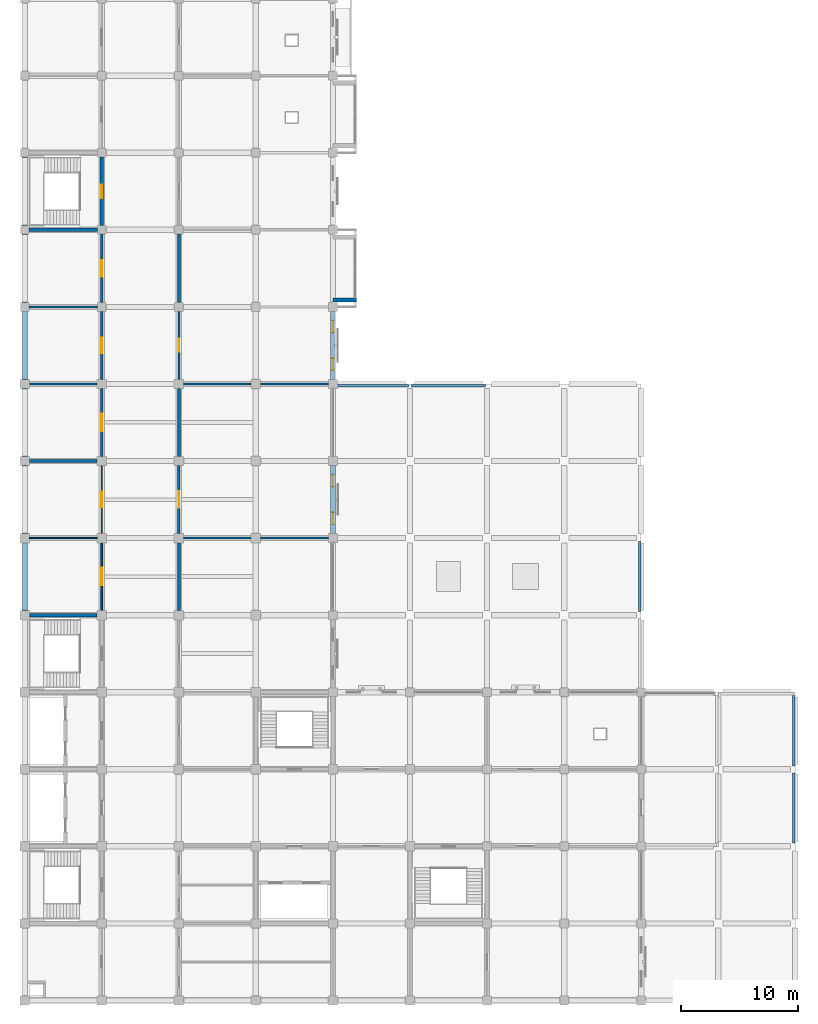
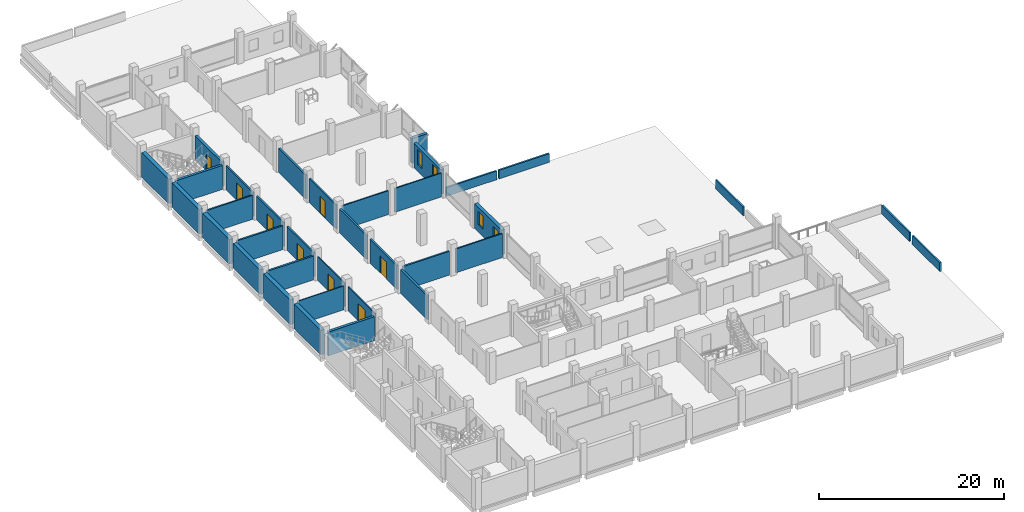
# One storey, part 17 of 23: 35 walls, 8 doors, 4 windows, 12 openings.
"""IFC4 building model written with IfcOpenShell, lengths in metres."""

from ifc_helpers import new_model, si_unit, direction, frame, frame_2d, origin, place, context, subcontext, project, spatial, rectangle, extrude, material, layer, layer_set, type_object, element, fill, save


model = new_model("IFC4")

# Units and contexts
model_context = context("Model", 3, precision=1e-05, world=origin(), true_north=direction((0.0, 1.0)))
body_context = subcontext(model_context, "Body", "Model", "MODEL_VIEW")
ifc_project = project(units=[si_unit("LENGTHUNIT", "METRE"), si_unit("AREAUNIT", "SQUARE_METRE"), si_unit("VOLUMEUNIT", "CUBIC_METRE"), si_unit("PLANEANGLEUNIT", "RADIAN"), si_unit("MASSUNIT", "GRAM", prefix="KILO")], contexts=[model_context])

# Site, building, storey
site_placement = place(None, origin())
site = spatial("IfcSite", under=ifc_project, at=site_placement, CompositionType="ELEMENT")
building_placement = place(site_placement, origin())
building = spatial("IfcBuilding", under=site, at=building_placement, Name="Rusizi Kubbe Research Institute", CompositionType="ELEMENT")
storey_placement = place(building_placement, frame((0.0, 0.0, 18.60009765625)))
storey = spatial("IfcBuildingStorey", under=building, at=storey_placement, Name="L04", CompositionType="ELEMENT", Elevation=18.60009765625)

# Walls
ifc_material_1 = material(Name="Concrete C45/55", Category="concrete")
ifc_layer_1 = layer(ifc_material_1, 0.31494140625)
ifc_layer_set_1 = layer_set([ifc_layer_1], Name="Concrete C45/55")
wall_type_1 = type_object("IfcWallType", Name="CRW-02", PredefinedType="SHEAR", material=ifc_layer_set_1)
wall_1_placement = place(storey_placement, frame((0.39990234375, 33.0, 0.0), z_axis=(0.0, 0.0, 1.0), x_axis=(1.0, 0.0, 0.0)))
element("IfcWall", 1, at=wall_1_placement, inside=storey, type_object=wall_type_1, Name="Stair Core Shear Wall ST2 L04 N", PredefinedType="SHEAR", context=body_context, shape_type="SweptSolid", body=[
    extrude(rectangle(XDim=5.800048828125, YDim=0.31494140625, at=frame_2d((2.89990234375, 0.0))), origin(), (0.0, 0.0, 1.0), 3.159912109375),
])
wall_2_placement = place(storey_placement, frame((0.375, 66.0, 0.0), z_axis=(0.0, 0.0, 1.0), x_axis=(1.0, 0.0, 0.0)))
element("IfcWall", 2, at=wall_2_placement, inside=storey, type_object=wall_type_1, Name="Stair Core Shear Wall ST5 L04 S", PredefinedType="SHEAR", context=body_context, shape_type="SweptSolid", body=[
    extrude(rectangle(XDim=5.85009765625, YDim=0.31494140625, at=frame_2d((2.925048828125, 0.0))), origin(), (0.0, 0.0, 1.0), 3.159912109375),
])

# Wall, opening, door
wall_3_placement = place(storey_placement, frame((6.60009765625, 66.375, 0.0), z_axis=(0.0, 0.0, 1.0), x_axis=(0.0, 1.0, 0.0)))
wall_3 = element("IfcWall", 3, at=wall_3_placement, inside=storey, type_object=wall_type_1, Name="Stair Core Shear Wall ST5 L04 E", PredefinedType="SHEAR", context=body_context, shape_type="SweptSolid", body=[
    extrude(rectangle(XDim=5.85009765625, YDim=0.31494140625, at=frame_2d((2.925048828125, 0.0))), origin(), (0.0, 0.0, 1.0), 3.159912109375),
])
opening_1_placement = place(wall_3_placement, frame((2.35009765625, 0.0, 0.0)))
opening_1 = element("IfcOpeningElement", 4, at=opening_1_placement, cuts=wall_3, Name="Opening D-02", PredefinedType="OPENING", context=body_context, shape_type="SweptSolid", body=[
    extrude(rectangle(XDim=1.14990234375, YDim=2.199951171875, at=frame_2d((0.574951171875, 1.10009765625))), frame((0.0, 0.16748046875, 0.0), z_axis=(0.0, -1.0, 0.0), x_axis=(1.0, 0.0, 0.0)), (0.0, 0.0, 1.0), 0.3349609375),
])
ifc_material_2 = material(Name="Fire-Rated Steel Frame and Acoustic Timber Leaf", Category="wood")
door_type_1 = type_object("IfcDoorType", Name="ID-STAIR-115", OperationType="NOTDEFINED", PredefinedType="DOOR", material=ifc_material_2)
door_1_placement = place(opening_1_placement, origin())
door_1 = element("IfcDoor", 5, at=door_1_placement, inside=storey, type_object=door_type_1, Name="Exit Stair Door ST5 L04", OperationType="SINGLE_SWING_RIGHT", OverallHeight=2.199951171875, OverallWidth=1.14990234375, PredefinedType="DOOR", context=body_context, shape_type="SweptSolid", body=[
    extrude(rectangle(XDim=1.14990234375, YDim=2.199951171875, at=frame_2d((0.574951171875, 1.10009765625))), frame((0.0, 0.02490234375, 0.0), z_axis=(0.0, -1.0, 0.0), x_axis=(1.0, 0.0, 0.0)), (0.0, 0.0, 1.0), 0.050048828125),
])
fill(opening_1, door_1)

# Wall, openings, windows
ifc_material_3 = material(Name="Volcanic Basalt Ashlar Masonry", Category="masonry")
ifc_layer_2 = layer(ifc_material_3, 0.419921875)
ifc_layer_set_2 = layer_set([ifc_layer_2], Name="Volcanic Basalt Ashlar Masonry")
wall_type_2 = type_object("IfcWallType", Name="EW-02", PredefinedType="SOLIDWALL", material=ifc_layer_set_2)
wall_4_placement = place(storey_placement, frame((26.39990234375, 39.97509765625, 0.0), z_axis=(0.0, 0.0, 1.0), x_axis=(0.0, 1.0, 0.0)))
wall_4 = element("IfcWall", 6, at=wall_4_placement, inside=storey, type_object=wall_type_2, Name="Ablaq Stone Exterior Wall L04 V4-6", PredefinedType="SOLIDWALL", context=body_context, shape_type="SweptSolid", body=[
    extrude(rectangle(XDim=5.849853515625, YDim=0.419921875, at=frame_2d((2.9248046875, 0.0))), origin(), (0.0, 0.0, 1.0), 3.260009765625),
])
opening_2_placement = place(wall_4_placement, frame((0.800048828125, 0.0, 0.949951171875)))
opening_2 = element("IfcOpeningElement", 7, at=opening_2_placement, cuts=wall_4, Name="Opening WN-07", PredefinedType="OPENING", context=body_context, shape_type="SweptSolid", body=[
    extrude(rectangle(XDim=1.02001953125, YDim=1.739990234375, at=frame_2d((0.510009765625, 0.8701171875))), frame((0.0, 0.219970703125, 0.0), z_axis=(0.0, -1.0, 0.0), x_axis=(1.0, 0.0, 0.0)), (0.0, 0.0, 1.0), 0.43994140625),
])
opening_3_placement = place(wall_4_placement, frame((4.030029296875, 0.0, 0.949951171875)))
opening_3 = element("IfcOpeningElement", 8, at=opening_3_placement, cuts=wall_4, Name="Opening WN-07", PredefinedType="OPENING", context=body_context, shape_type="SweptSolid", body=[
    extrude(rectangle(XDim=1.02001953125, YDim=1.739990234375, at=frame_2d((0.510009765625, 0.8701171875))), frame((0.0, 0.219970703125, 0.0), z_axis=(0.0, -1.0, 0.0), x_axis=(1.0, 0.0, 0.0)), (0.0, 0.0, 1.0), 0.43994140625),
])
ifc_material_4 = material(Name="Aluminium Frame and Solar-Control Double Glazing", Category="glass")
window_type_1 = type_object("IfcWindowType", Name="WN-07", PartitioningType="SINGLE_PANEL", PredefinedType="WINDOW", material=ifc_material_4)
window_1_placement = place(opening_2_placement, origin())
window_1 = element("IfcWindow", 9, at=window_1_placement, inside=storey, type_object=window_type_1, Name="Casement Window WN-07 L04", OverallHeight=1.739990234375, OverallWidth=1.02001953125, PartitioningType="SINGLE_PANEL", PredefinedType="WINDOW", context=body_context, shape_type="SweptSolid", body=[
    extrude(rectangle(XDim=1.02001953125, YDim=1.739990234375, at=frame_2d((0.510009765625, 0.8701171875))), frame((0.0, 0.030029296875, 0.0), z_axis=(0.0, -1.0, 0.0), x_axis=(1.0, 0.0, 0.0)), (0.0, 0.0, 1.0), 0.06005859375),
])
fill(opening_2, window_1)
window_2_placement = place(opening_3_placement, origin())
window_2 = element("IfcWindow", 10, at=window_2_placement, inside=storey, type_object=window_type_1, Name="Casement Window WN-07 L04", OverallHeight=1.739990234375, OverallWidth=1.02001953125, PartitioningType="SINGLE_PANEL", PredefinedType="WINDOW", context=body_context, shape_type="SweptSolid", body=[
    extrude(rectangle(XDim=1.02001953125, YDim=1.739990234375, at=frame_2d((0.510009765625, 0.8701171875))), frame((0.0, 0.030029296875, 0.0), z_axis=(0.0, -1.0, 0.0), x_axis=(1.0, 0.0, 0.0)), (0.0, 0.0, 1.0), 0.06005859375),
])
fill(opening_3, window_2)

ifc_material_5 = material(Name="Volcanic Basalt Ashlar Masonry", Category="masonry")
ifc_layer_3 = layer(ifc_material_5, 0.385009765625)
ifc_layer_set_3 = layer_set([ifc_layer_3], Name="Volcanic Basalt Ashlar Masonry")
wall_type_3 = type_object("IfcWallType", Name="EW-04", PredefinedType="SOLIDWALL", material=ifc_layer_set_3)
wall_5_placement = place(storey_placement, frame((26.39990234375, 53.175048828125, 0.0), z_axis=(0.0, 0.0, 1.0), x_axis=(0.0, 1.0, 0.0)))
wall_5 = element("IfcWall", 11, at=wall_5_placement, inside=storey, type_object=wall_type_3, Name="Ablaq Stone Exterior Wall L04 V4-8", PredefinedType="SOLIDWALL", context=body_context, shape_type="SweptSolid", body=[
    extrude(rectangle(XDim=5.849853515625, YDim=0.385009765625, at=frame_2d((2.9248046875, 0.0))), origin(), (0.0, 0.0, 1.0), 3.260009765625),
])
opening_4_placement = place(wall_5_placement, frame((0.800048828125, 0.0, 0.949951171875)))
opening_4 = element("IfcOpeningElement", 12, at=opening_4_placement, cuts=wall_5, Name="Opening WN-08", PredefinedType="OPENING", context=body_context, shape_type="SweptSolid", body=[
    extrude(rectangle(XDim=1.02001953125, YDim=1.9599609375, at=frame_2d((0.510009765625, 0.97998046875))), frame((0.0, 0.202392578125, 0.0), z_axis=(0.0, -1.0, 0.0), x_axis=(1.0, 0.0, 0.0)), (0.0, 0.0, 1.0), 0.405029296875),
])
opening_5_placement = place(wall_5_placement, frame((4.030029296875, 0.0, 0.949951171875)))
opening_5 = element("IfcOpeningElement", 13, at=opening_5_placement, cuts=wall_5, Name="Opening WN-08", PredefinedType="OPENING", context=body_context, shape_type="SweptSolid", body=[
    extrude(rectangle(XDim=1.02001953125, YDim=1.9599609375, at=frame_2d((0.510009765625, 0.97998046875))), frame((0.0, 0.202392578125, 0.0), z_axis=(0.0, -1.0, 0.0), x_axis=(1.0, 0.0, 0.0)), (0.0, 0.0, 1.0), 0.405029296875),
])
ifc_material_6 = material(Name="Aluminium Frame and Solar-Control Double Glazing", Category="glass")
window_type_2 = type_object("IfcWindowType", Name="WN-08", PartitioningType="SINGLE_PANEL", PredefinedType="WINDOW", material=ifc_material_6)
window_3_placement = place(opening_4_placement, origin())
window_3 = element("IfcWindow", 14, at=window_3_placement, inside=storey, type_object=window_type_2, Name="Casement Window WN-08 L04", OverallHeight=1.9599609375, OverallWidth=1.02001953125, PartitioningType="SINGLE_PANEL", PredefinedType="WINDOW", context=body_context, shape_type="SweptSolid", body=[
    extrude(rectangle(XDim=1.02001953125, YDim=1.9599609375, at=frame_2d((0.510009765625, 0.97998046875))), frame((0.0, 0.030029296875, 0.0), z_axis=(0.0, -1.0, 0.0), x_axis=(1.0, 0.0, 0.0)), (0.0, 0.0, 1.0), 0.06005859375),
])
fill(opening_4, window_3)
window_4_placement = place(opening_5_placement, origin())
window_4 = element("IfcWindow", 15, at=window_4_placement, inside=storey, type_object=window_type_2, Name="Casement Window WN-08 L04", OverallHeight=1.9599609375, OverallWidth=1.02001953125, PartitioningType="SINGLE_PANEL", PredefinedType="WINDOW", context=body_context, shape_type="SweptSolid", body=[
    extrude(rectangle(XDim=1.02001953125, YDim=1.9599609375, at=frame_2d((0.510009765625, 0.97998046875))), frame((0.0, 0.030029296875, 0.0), z_axis=(0.0, -1.0, 0.0), x_axis=(1.0, 0.0, 0.0)), (0.0, 0.0, 1.0), 0.06005859375),
])
fill(opening_5, window_4)

# Walls
ifc_material_7 = material(Name="Volcanic Basalt Ashlar Masonry", Category="masonry")
ifc_layer_4 = layer(ifc_material_7, 0.35498046875)
ifc_layer_set_4 = layer_set([ifc_layer_4], Name="Volcanic Basalt Ashlar Masonry")
wall_type_4 = type_object("IfcWallType", Name="EW-06", PredefinedType="SOLIDWALL", material=ifc_layer_set_4)
wall_6_placement = place(storey_placement, frame((26.39990234375, 60.0, 0.0), z_axis=(0.0, 0.0, 1.0), x_axis=(1.0, 0.0, 0.0)))
element("IfcWall", 16, at=wall_6_placement, inside=storey, type_object=wall_type_4, Name="Cumba Return Wall S L04 (4,9)", PredefinedType="SOLIDWALL", context=body_context, shape_type="SweptSolid", body=[
    extrude(rectangle(XDim=2.0, YDim=0.35498046875, at=frame_2d((1.0, 0.0))), origin(), (0.0, 0.0, 1.0), 3.260009765625),
])
ifc_material_8 = material(Name="Concrete Blockwork Fire Partition", Category="masonry")
ifc_layer_5 = layer(ifc_material_8, 0.22509765625)
ifc_layer_set_5 = layer_set([ifc_layer_5], Name="Concrete Blockwork Fire Partition")
wall_type_5 = type_object("IfcWallType", Name="IW-01", PredefinedType="PARTITIONING", material=ifc_layer_set_5)
wall_7_placement = place(storey_placement, frame((0.39990234375, 46.199951171875, 0.0), z_axis=(0.0, 0.0, 1.0), x_axis=(1.0, 0.0, 0.0)))
element("IfcWall", 17, at=wall_7_placement, inside=storey, type_object=wall_type_5, Name="Interior Partition Wall L04 H0-7", PredefinedType="PARTITIONING", context=body_context, shape_type="SweptSolid", body=[
    extrude(rectangle(XDim=5.800048828125, YDim=0.22509765625, at=frame_2d((2.89990234375, 0.0))), origin(), (0.0, 0.0, 1.0), 3.159912109375),
])

# Wall, opening, door
wall_8_placement = place(storey_placement, frame((6.60009765625, 46.60009765625, 0.0), z_axis=(0.0, 0.0, 1.0), x_axis=(0.0, 1.0, 0.0)))
wall_8 = element("IfcWall", 18, at=wall_8_placement, inside=storey, type_object=wall_type_5, Name="Interior Partition Wall L04 V1-7", PredefinedType="PARTITIONING", context=body_context, shape_type="SweptSolid", body=[
    extrude(rectangle(XDim=5.7998046875, YDim=0.22509765625, at=frame_2d((2.89990234375, 0.0))), origin(), (0.0, 0.0, 1.0), 3.159912109375),
])
opening_6_placement = place(wall_8_placement, frame((2.159912109375, 0.0, 0.0)))
opening_6 = element("IfcOpeningElement", 19, at=opening_6_placement, cuts=wall_8, Name="Opening LD-08", PredefinedType="OPENING", context=body_context, shape_type="SweptSolid", body=[
    extrude(rectangle(XDim=1.47998046875, YDim=2.25, at=frame_2d((0.739990234375, 1.125))), frame((0.0, 0.12255859375, 0.0), z_axis=(0.0, -1.0, 0.0), x_axis=(1.0, 0.0, 0.0)), (0.0, 0.0, 1.0), 0.2451171875),
])
ifc_material_9 = material(Name="Brushed Stainless Steel Sliding Door", Category="steel")
door_type_2 = type_object("IfcDoorType", Name="LD-08", OperationType="DOUBLE_DOOR_SLIDING", PredefinedType="USERDEFINED", material=ifc_material_9)
door_2_placement = place(opening_6_placement, origin())
door_2 = element("IfcDoor", 20, at=door_2_placement, inside=storey, type_object=door_type_2, Name="Door to Clean Room Gowning Airlock (L04-ALK-07)", ObjectType="SLIDING DOOR", OperationType="DOUBLE_DOOR_SLIDING", OverallHeight=2.25, OverallWidth=1.47998046875, PredefinedType="USERDEFINED", context=body_context, shape_type="SweptSolid", body=[
    extrude(rectangle(XDim=1.47998046875, YDim=2.25, at=frame_2d((0.739990234375, 1.125))), frame((0.0, 0.02490234375, 0.0), z_axis=(0.0, -1.0, 0.0), x_axis=(1.0, 0.0, 0.0)), (0.0, 0.0, 1.0), 0.050048828125),
])
fill(opening_6, door_2)

wall_9_placement = place(storey_placement, frame((13.199951171875, 40.0, 0.0), z_axis=(0.0, 0.0, 1.0), x_axis=(0.0, 1.0, 0.0)))
wall_9 = element("IfcWall", 21, at=wall_9_placement, inside=storey, type_object=wall_type_5, Name="Interior Partition Wall L04 V2-6", PredefinedType="PARTITIONING", context=body_context, shape_type="SweptSolid", body=[
    extrude(rectangle(XDim=5.800048828125, YDim=0.22509765625, at=frame_2d((2.89990234375, 0.0))), origin(), (0.0, 0.0, 1.0), 3.159912109375),
])
opening_7_placement = place(wall_9_placement, frame((2.199951171875, 0.0, 0.0)))
opening_7 = element("IfcOpeningElement", 22, at=opening_7_placement, cuts=wall_9, Name="Opening D-12", PredefinedType="OPENING", context=body_context, shape_type="SweptSolid", body=[
    extrude(rectangle(XDim=1.39990234375, YDim=2.25, at=frame_2d((0.699951171875, 1.125))), frame((0.0, 0.12255859375, 0.0), z_axis=(0.0, -1.0, 0.0), x_axis=(1.0, 0.0, 0.0)), (0.0, 0.0, 1.0), 0.2451171875),
])
ifc_material_10 = material(Name="Fire-Rated Steel Frame and Acoustic Timber Leaf", Category="wood")
door_type_3 = type_object("IfcDoorType", Name="ID-LAB-140", OperationType="NOTDEFINED", PredefinedType="DOOR", material=ifc_material_10)
door_3_placement = place(opening_7_placement, origin())
door_3 = element("IfcDoor", 23, at=door_3_placement, inside=storey, type_object=door_type_3, Name="Door to Computational Dry Laboratory (L04-NW-03)", OperationType="SINGLE_SWING_RIGHT", OverallHeight=2.25, OverallWidth=1.39990234375, PredefinedType="DOOR", context=body_context, shape_type="SweptSolid", body=[
    extrude(rectangle(XDim=1.39990234375, YDim=2.25, at=frame_2d((0.699951171875, 1.125))), frame((0.0, 0.02490234375, 0.0), z_axis=(0.0, -1.0, 0.0), x_axis=(1.0, 0.0, 0.0)), (0.0, 0.0, 1.0), 0.050048828125),
])
fill(opening_7, door_3)

# Wall
ifc_material_11 = material(Name="Insulated Cleanroom Partition", Category="masonry")
ifc_layer_6 = layer(ifc_material_11, 0.195068359375)
ifc_layer_set_6 = layer_set([ifc_layer_6], Name="Insulated Cleanroom Partition")
wall_type_6 = type_object("IfcWallType", Name="IW-02", PredefinedType="PARTITIONING", material=ifc_layer_set_6)
wall_10_placement = place(storey_placement, frame((0.39990234375, 52.800048828125, 0.0), z_axis=(0.0, 0.0, 1.0), x_axis=(1.0, 0.0, 0.0)))
element("IfcWall", 24, at=wall_10_placement, inside=storey, type_object=wall_type_6, Name="Interior Partition Wall L04 H0-8", PredefinedType="PARTITIONING", context=body_context, shape_type="SweptSolid", body=[
    extrude(rectangle(XDim=5.800048828125, YDim=0.195068359375, at=frame_2d((2.89990234375, 0.0))), origin(), (0.0, 0.0, 1.0), 3.159912109375),
])

# Wall, opening, door
wall_11_placement = place(storey_placement, frame((6.60009765625, 53.199951171875, 0.0), z_axis=(0.0, 0.0, 1.0), x_axis=(0.0, 1.0, 0.0)))
wall_11 = element("IfcWall", 25, at=wall_11_placement, inside=storey, type_object=wall_type_6, Name="Interior Partition Wall L04 V1-8", PredefinedType="PARTITIONING", context=body_context, shape_type="SweptSolid", body=[
    extrude(rectangle(XDim=5.824951171875, YDim=0.195068359375, at=frame_2d((2.91259765625, 0.0))), origin(), (0.0, 0.0, 1.0), 3.159912109375),
])
opening_8_placement = place(wall_11_placement, frame((2.239990234375, 0.0, 0.0)))
opening_8 = element("IfcOpeningElement", 26, at=opening_8_placement, cuts=wall_11, Name="Opening LD-07", PredefinedType="OPENING", context=body_context, shape_type="SweptSolid", body=[
    extrude(rectangle(XDim=1.320068359375, YDim=2.199951171875, at=frame_2d((0.66015625, 1.10009765625))), frame((0.0, 0.107421875, 0.0), z_axis=(0.0, -1.0, 0.0), x_axis=(1.0, 0.0, 0.0)), (0.0, 0.0, 1.0), 0.215087890625),
])
ifc_material_12 = material(Name="Brushed Stainless Steel Sliding Door", Category="steel")
door_type_4 = type_object("IfcDoorType", Name="LD-07", OperationType="DOUBLE_DOOR_SLIDING", PredefinedType="USERDEFINED", material=ifc_material_12)
door_4_placement = place(opening_8_placement, origin())
door_4 = element("IfcDoor", 27, at=door_4_placement, inside=storey, type_object=door_type_4, Name="Door to ISO-6 Clean Room Suite (L04-CR-08)", ObjectType="SLIDING DOOR", OperationType="DOUBLE_DOOR_SLIDING", OverallHeight=2.199951171875, OverallWidth=1.320068359375, PredefinedType="USERDEFINED", context=body_context, shape_type="SweptSolid", body=[
    extrude(rectangle(XDim=1.320068359375, YDim=2.199951171875, at=frame_2d((0.66015625, 1.10009765625))), frame((0.0, 0.02490234375, 0.0), z_axis=(0.0, -1.0, 0.0), x_axis=(1.0, 0.0, 0.0)), (0.0, 0.0, 1.0), 0.050048828125),
])
fill(opening_8, door_4)

# Walls
wall_12_placement = place(storey_placement, frame((13.60009765625, 39.60009765625, 0.0), z_axis=(0.0, 0.0, 1.0), x_axis=(1.0, 0.0, 0.0)))
element("IfcWall", 28, at=wall_12_placement, inside=storey, type_object=wall_type_6, Name="Interior Partition Wall L04 H2-6", PredefinedType="PARTITIONING", context=body_context, shape_type="SweptSolid", body=[
    extrude(rectangle(XDim=5.7998046875, YDim=0.195068359375, at=frame_2d((2.89990234375, 0.0))), origin(), (0.0, 0.0, 1.0), 3.159912109375),
])
ifc_material_13 = material(Name="Acoustic Laboratory Partition", Category="masonry")
ifc_layer_7 = layer(ifc_material_13, 0.175048828125)
ifc_layer_set_7 = layer_set([ifc_layer_7], Name="Acoustic Laboratory Partition")
wall_type_7 = type_object("IfcWallType", Name="IW-03", PredefinedType="PARTITIONING", material=ifc_layer_set_7)
wall_13_placement = place(storey_placement, frame((0.375, 59.39990234375, 0.0), z_axis=(0.0, 0.0, 1.0), x_axis=(1.0, 0.0, 0.0)))
element("IfcWall", 29, at=wall_13_placement, inside=storey, type_object=wall_type_7, Name="Interior Partition Wall L04 H0-9", PredefinedType="PARTITIONING", context=body_context, shape_type="SweptSolid", body=[
    extrude(rectangle(XDim=5.85009765625, YDim=0.175048828125, at=frame_2d((2.925048828125, 0.0))), origin(), (0.0, 0.0, 1.0), 3.159912109375),
])

# Wall, opening, door
wall_14_placement = place(storey_placement, frame((6.60009765625, 59.77490234375, 0.0), z_axis=(0.0, 0.0, 1.0), x_axis=(0.0, 1.0, 0.0)))
wall_14 = element("IfcWall", 30, at=wall_14_placement, inside=storey, type_object=wall_type_7, Name="Interior Partition Wall L04 V1-9", PredefinedType="PARTITIONING", context=body_context, shape_type="SweptSolid", body=[
    extrude(rectangle(XDim=5.85009765625, YDim=0.175048828125, at=frame_2d((2.925048828125, 0.0))), origin(), (0.0, 0.0, 1.0), 3.159912109375),
])
opening_9_placement = place(wall_14_placement, frame((2.22509765625, 0.0, 0.0)))
opening_9 = element("IfcOpeningElement", 31, at=opening_9_placement, cuts=wall_14, Name="Opening D-12", PredefinedType="OPENING", context=body_context, shape_type="SweptSolid", body=[
    extrude(rectangle(XDim=1.39990234375, YDim=2.25, at=frame_2d((0.699951171875, 1.125))), frame((0.0, 0.097412109375, 0.0), z_axis=(0.0, -1.0, 0.0), x_axis=(1.0, 0.0, 0.0)), (0.0, 0.0, 1.0), 0.195068359375),
])
door_5_placement = place(opening_9_placement, origin())
door_5 = element("IfcDoor", 32, at=door_5_placement, inside=storey, type_object=door_type_3, Name="Door to Clean Room Metrology Laboratory (L04-WSP-09)", OperationType="SINGLE_SWING_RIGHT", OverallHeight=2.25, OverallWidth=1.39990234375, PredefinedType="DOOR", context=body_context, shape_type="SweptSolid", body=[
    extrude(rectangle(XDim=1.39990234375, YDim=2.25, at=frame_2d((0.699951171875, 1.125))), frame((0.0, 0.02490234375, 0.0), z_axis=(0.0, -1.0, 0.0), x_axis=(1.0, 0.0, 0.0)), (0.0, 0.0, 1.0), 0.050048828125),
])
fill(opening_9, door_5)

wall_15_placement = place(storey_placement, frame((13.199951171875, 53.199951171875, 0.0), z_axis=(0.0, 0.0, 1.0), x_axis=(0.0, 1.0, 0.0)))
wall_15 = element("IfcWall", 33, at=wall_15_placement, inside=storey, type_object=wall_type_7, Name="Interior Partition Wall L04 V2-8", PredefinedType="PARTITIONING", context=body_context, shape_type="SweptSolid", body=[
    extrude(rectangle(XDim=5.824951171875, YDim=0.175048828125, at=frame_2d((2.91259765625, 0.0))), origin(), (0.0, 0.0, 1.0), 3.159912109375),
])
opening_10_placement = place(wall_15_placement, frame((2.340087890625, 0.0, 0.0)))
opening_10 = element("IfcOpeningElement", 34, at=opening_10_placement, cuts=wall_15, Name="Opening D-18", PredefinedType="OPENING", context=body_context, shape_type="SweptSolid", body=[
    extrude(rectangle(XDim=1.1201171875, YDim=2.199951171875, at=frame_2d((0.56005859375, 1.10009765625))), frame((0.0, 0.097412109375, 0.0), z_axis=(0.0, -1.0, 0.0), x_axis=(1.0, 0.0, 0.0)), (0.0, 0.0, 1.0), 0.195068359375),
])
ifc_material_14 = material(Name="Fire-Rated Steel Frame and Acoustic Timber Leaf", Category="wood")
door_type_5 = type_object("IfcDoorType", Name="ID-OFF-112", OperationType="NOTDEFINED", PredefinedType="DOOR", material=ifc_material_14)
door_6_placement = place(opening_10_placement, origin())
door_6 = element("IfcDoor", 35, at=door_6_placement, inside=storey, type_object=door_type_5, Name="Door to Write-up Office (L04-NW-04)", OperationType="SINGLE_SWING_LEFT", OverallHeight=2.199951171875, OverallWidth=1.1201171875, PredefinedType="DOOR", context=body_context, shape_type="SweptSolid", body=[
    extrude(rectangle(XDim=1.1201171875, YDim=2.199951171875, at=frame_2d((0.56005859375, 1.10009765625))), frame((0.0, 0.02490234375, 0.0), z_axis=(0.0, -1.0, 0.0), x_axis=(1.0, 0.0, 0.0)), (0.0, 0.0, 1.0), 0.050048828125),
])
fill(opening_10, door_6)

# Walls
wall_16_placement = place(storey_placement, frame((20.199951171875, 39.60009765625, 0.0), z_axis=(0.0, 0.0, 1.0), x_axis=(1.0, 0.0, 0.0)))
element("IfcWall", 36, at=wall_16_placement, inside=storey, type_object=wall_type_7, Name="Interior Partition Wall L04 H3-6", PredefinedType="PARTITIONING", context=body_context, shape_type="SweptSolid", body=[
    extrude(rectangle(XDim=5.824951171875, YDim=0.175048828125, at=frame_2d((2.91259765625, 0.0))), origin(), (0.0, 0.0, 1.0), 3.159912109375),
])
ifc_material_15 = material(Name="Fire-Rated Corridor Partition", Category="masonry")
ifc_layer_8 = layer(ifc_material_15, 0.155029296875)
ifc_layer_set_8 = layer_set([ifc_layer_8], Name="Fire-Rated Corridor Partition")
wall_type_8 = type_object("IfcWallType", Name="IW-04", PredefinedType="PARTITIONING", material=ifc_layer_set_8)
wall_17_placement = place(storey_placement, frame((13.60009765625, 52.800048828125, 0.0), z_axis=(0.0, 0.0, 1.0), x_axis=(1.0, 0.0, 0.0)))
element("IfcWall", 37, at=wall_17_placement, inside=storey, type_object=wall_type_8, Name="Interior Partition Wall L04 H2-8", PredefinedType="PARTITIONING", context=body_context, shape_type="SweptSolid", body=[
    extrude(rectangle(XDim=5.7998046875, YDim=0.155029296875, at=frame_2d((2.89990234375, 0.0))), origin(), (0.0, 0.0, 1.0), 3.159912109375),
])

# Wall, opening, door
ifc_material_16 = material(Name="Write-up Glazed Acoustic Partition", Category="masonry")
ifc_layer_9 = layer(ifc_material_16, 0.139892578125)
ifc_layer_set_9 = layer_set([ifc_layer_9], Name="Write-up Glazed Acoustic Partition")
wall_type_9 = type_object("IfcWallType", Name="IW-05", PredefinedType="PARTITIONING", material=ifc_layer_set_9)
wall_18_placement = place(storey_placement, frame((6.60009765625, 33.39990234375, 0.0), z_axis=(0.0, 0.0, 1.0), x_axis=(0.0, 1.0, 0.0)))
wall_18 = element("IfcWall", 38, at=wall_18_placement, inside=storey, type_object=wall_type_9, Name="Interior Partition Wall L04 V1-5", PredefinedType="PARTITIONING", context=body_context, shape_type="SweptSolid", body=[
    extrude(rectangle(XDim=5.800048828125, YDim=0.139892578125, at=frame_2d((2.89990234375, 0.0))), origin(), (0.0, 0.0, 1.0), 3.159912109375),
])
opening_11_placement = place(wall_18_placement, frame((2.159912109375, 0.0, 0.0)))
opening_11 = element("IfcOpeningElement", 39, at=opening_11_placement, cuts=wall_18, Name="Opening LD-08", PredefinedType="OPENING", context=body_context, shape_type="SweptSolid", body=[
    extrude(rectangle(XDim=1.47998046875, YDim=2.25, at=frame_2d((0.739990234375, 1.125))), frame((0.0, 0.079833984375, 0.0), z_axis=(0.0, -1.0, 0.0), x_axis=(1.0, 0.0, 0.0)), (0.0, 0.0, 1.0), 0.159912109375),
])
door_7_placement = place(opening_11_placement, origin())
door_7 = element("IfcDoor", 40, at=door_7_placement, inside=storey, type_object=door_type_2, Name="Door to Clean Room Gowning Airlock (L04-ALK-05)", ObjectType="SLIDING DOOR", OperationType="DOUBLE_DOOR_SLIDING", OverallHeight=2.25, OverallWidth=1.47998046875, PredefinedType="USERDEFINED", context=body_context, shape_type="SweptSolid", body=[
    extrude(rectangle(XDim=1.47998046875, YDim=2.25, at=frame_2d((0.739990234375, 1.125))), frame((0.0, 0.02490234375, 0.0), z_axis=(0.0, -1.0, 0.0), x_axis=(1.0, 0.0, 0.0)), (0.0, 0.0, 1.0), 0.050048828125),
])
fill(opening_11, door_7)

# Walls
wall_19_placement = place(storey_placement, frame((20.199951171875, 52.800048828125, 0.0), z_axis=(0.0, 0.0, 1.0), x_axis=(1.0, 0.0, 0.0)))
element("IfcWall", 41, at=wall_19_placement, inside=storey, type_object=wall_type_9, Name="Interior Partition Wall L04 H3-8", PredefinedType="PARTITIONING", context=body_context, shape_type="SweptSolid", body=[
    extrude(rectangle(XDim=5.824951171875, YDim=0.139892578125, at=frame_2d((2.91259765625, 0.0))), origin(), (0.0, 0.0, 1.0), 3.159912109375),
])
ifc_material_17 = material(Name="Sub-Suite Fire Partition", Category="masonry")
ifc_layer_10 = layer(ifc_material_17, 0.110107421875)
ifc_layer_set_10 = layer_set([ifc_layer_10], Name="Sub-Suite Fire Partition")
wall_type_10 = type_object("IfcWallType", Name="IW-07", PredefinedType="PARTITIONING", material=ifc_layer_set_10)
wall_20_placement = place(storey_placement, frame((0.39990234375, 39.60009765625, 0.0), z_axis=(0.0, 0.0, 1.0), x_axis=(1.0, 0.0, 0.0)))
element("IfcWall", 42, at=wall_20_placement, inside=storey, type_object=wall_type_10, Name="Interior Partition Wall L04 H0-6", PredefinedType="PARTITIONING", context=body_context, shape_type="SweptSolid", body=[
    extrude(rectangle(XDim=5.800048828125, YDim=0.110107421875, at=frame_2d((2.89990234375, 0.0))), origin(), (0.0, 0.0, 1.0), 3.159912109375),
])

# Wall, opening, door
wall_21_placement = place(storey_placement, frame((6.60009765625, 40.0, 0.0), z_axis=(0.0, 0.0, 1.0), x_axis=(0.0, 1.0, 0.0)))
wall_21 = element("IfcWall", 43, at=wall_21_placement, inside=storey, type_object=wall_type_10, Name="Interior Partition Wall L04 V1-6", PredefinedType="PARTITIONING", context=body_context, shape_type="SweptSolid", body=[
    extrude(rectangle(XDim=5.800048828125, YDim=0.110107421875, at=frame_2d((2.89990234375, 0.0))), origin(), (0.0, 0.0, 1.0), 3.159912109375),
])
opening_12_placement = place(wall_21_placement, frame((2.239990234375, 0.0, 0.0)))
opening_12 = element("IfcOpeningElement", 44, at=opening_12_placement, cuts=wall_21, Name="Opening LD-07", PredefinedType="OPENING", context=body_context, shape_type="SweptSolid", body=[
    extrude(rectangle(XDim=1.320068359375, YDim=2.199951171875, at=frame_2d((0.66015625, 1.10009765625))), frame((0.0, 0.06494140625, 0.0), z_axis=(0.0, -1.0, 0.0), x_axis=(1.0, 0.0, 0.0)), (0.0, 0.0, 1.0), 0.130126953125),
])
door_8_placement = place(opening_12_placement, origin())
door_8 = element("IfcDoor", 45, at=door_8_placement, inside=storey, type_object=door_type_4, Name="Door to ISO-6 Clean Room Suite (L04-CR-06)", ObjectType="SLIDING DOOR", OperationType="DOUBLE_DOOR_SLIDING", OverallHeight=2.199951171875, OverallWidth=1.320068359375, PredefinedType="USERDEFINED", context=body_context, shape_type="SweptSolid", body=[
    extrude(rectangle(XDim=1.320068359375, YDim=2.199951171875, at=frame_2d((0.66015625, 1.10009765625))), frame((0.0, 0.02490234375, 0.0), z_axis=(0.0, -1.0, 0.0), x_axis=(1.0, 0.0, 0.0)), (0.0, 0.0, 1.0), 0.050048828125),
])
fill(opening_12, door_8)

# Walls
ifc_material_18 = material(Name="Volcanic Basalt Ashlar Masonry", Category="masonry")
ifc_layer_11 = layer(ifc_material_18, 0.215087890625)
ifc_layer_set_11 = layer_set([ifc_layer_11], Name="Volcanic Basalt Ashlar Masonry")
wall_type_11 = type_object("IfcWallType", Name="PRP-02", PredefinedType="PARAPET", material=ifc_layer_set_11)
for number, where, z_axis, x_axis, name in (
    (46, (26.5400390625, 52.659912109375, 0.0), (0.0, 0.0, 1.0), (1.0, 0.0, 0.0), "Roof Parapet Wall L04-010"),
    (47, (33.139892578125, 52.659912109375, 0.0), (0.0, 0.0, 1.0), (1.0, 0.0, 0.0), "Roof Parapet Wall L04-011"),
):
    element("IfcWall", number, at=place(storey_placement, frame(where, z_axis=z_axis, x_axis=x_axis)), inside=storey, type_object=wall_type_11, Name=name, PredefinedType="PARAPET", context=body_context, shape_type="SweptSolid", body=[
        extrude(rectangle(XDim=6.320068359375, YDim=0.215087890625, at=frame_2d((3.16015625, 0.0))), origin(), (0.0, 0.0, 1.0), 1.14990234375),
    ])
for number, where, z_axis, x_axis, name in (
    (48, (52.659912109375, 33.300048828125, 0.0), (0.0, 0.0, 1.0), (0.0, 1.0, 0.0), "Roof Parapet Wall L04-013"),
    (49, (65.860107421875, 13.5, 0.0), (0.0, 0.0, 1.0), (0.0, 1.0, 0.0), "Roof Parapet Wall L04-014"),
    (50, (65.860107421875, 20.10009765625, 0.0), (0.0, 0.0, 1.0), (0.0, 1.0, 0.0), "Roof Parapet Wall L04-016"),
):
    element("IfcWall", number, at=place(storey_placement, frame(where, z_axis=z_axis, x_axis=x_axis)), inside=storey, type_object=wall_type_11, Name=name, PredefinedType="PARAPET", context=body_context, shape_type="SweptSolid", body=[
        extrude(rectangle(XDim=6.0, YDim=0.215087890625, at=frame_2d((3.0, 0.0))), origin(), (0.0, 0.0, 1.0), 1.14990234375),
    ])
ifc_material_19 = material(Name="Concrete C40/50", Category="concrete")
ifc_layer_12 = layer(ifc_material_19, 0.47998046875)
ifc_layer_set_12 = layer_set([ifc_layer_12], Name="Concrete C40/50")
wall_type_12 = type_object("IfcWallType", Name="PW-01", PredefinedType="SOLIDWALL", material=ifc_layer_set_12)
for number, where, z_axis, x_axis, name in (
    (51, (0.0, 33.39990234375, 0.0), (0.0, 0.0, 1.0), (0.0, 1.0, 0.0), "Blind Party Wall L04 V0-5"),
    (52, (0.0, 40.0, 0.0), (0.0, 0.0, 1.0), (0.0, 1.0, 0.0), "Blind Party Wall L04 V0-6"),
):
    element("IfcWall", number, at=place(storey_placement, frame(where, z_axis=z_axis, x_axis=x_axis)), inside=storey, type_object=wall_type_12, Name=name, PredefinedType="SOLIDWALL", context=body_context, shape_type="SweptSolid", body=[
        extrude(rectangle(XDim=5.800048828125, YDim=0.47998046875, at=frame_2d((2.89990234375, 0.0))), origin(), (0.0, 0.0, 1.0), 3.260009765625),
    ])
wall_22_placement = place(storey_placement, frame((0.0, 46.60009765625, 0.0), z_axis=(0.0, 0.0, 1.0), x_axis=(0.0, 1.0, 0.0)))
element("IfcWall", 53, at=wall_22_placement, inside=storey, type_object=wall_type_12, Name="Blind Party Wall L04 V0-7", PredefinedType="SOLIDWALL", context=body_context, shape_type="SweptSolid", body=[
    extrude(rectangle(XDim=5.7998046875, YDim=0.47998046875, at=frame_2d((2.89990234375, 0.0))), origin(), (0.0, 0.0, 1.0), 3.260009765625),
])
wall_23_placement = place(storey_placement, frame((0.0, 53.199951171875, 0.0), z_axis=(0.0, 0.0, 1.0), x_axis=(0.0, 1.0, 0.0)))
element("IfcWall", 54, at=wall_23_placement, inside=storey, type_object=wall_type_12, Name="Blind Party Wall L04 V0-8", PredefinedType="SOLIDWALL", context=body_context, shape_type="SweptSolid", body=[
    extrude(rectangle(XDim=5.824951171875, YDim=0.47998046875, at=frame_2d((2.91259765625, 0.0))), origin(), (0.0, 0.0, 1.0), 3.260009765625),
])
for number, where, z_axis, x_axis, name in (
    (55, (0.0, 59.77490234375, 0.0), (0.0, 0.0, 1.0), (0.0, 1.0, 0.0), "Blind Party Wall L04 V0-9"),
    (56, (0.0, 66.375, 0.0), (0.0, 0.0, 1.0), (0.0, 1.0, 0.0), "Blind Party Wall L04 V0-10"),
):
    element("IfcWall", number, at=place(storey_placement, frame(where, z_axis=z_axis, x_axis=x_axis)), inside=storey, type_object=wall_type_12, Name=name, PredefinedType="SOLIDWALL", context=body_context, shape_type="SweptSolid", body=[
        extrude(rectangle(XDim=5.85009765625, YDim=0.47998046875, at=frame_2d((2.925048828125, 0.0))), origin(), (0.0, 0.0, 1.0), 3.260009765625),
    ])
ifc_material_20 = material(Name="Concrete C40/50", Category="concrete")
ifc_layer_13 = layer(ifc_material_20, 0.2548828125)
ifc_layer_set_13 = layer_set([ifc_layer_13], Name="Concrete C40/50")
wall_type_13 = type_object("IfcWallType", Name="SHW-02", PredefinedType="SHEAR", material=ifc_layer_set_13)
wall_24_placement = place(storey_placement, frame((13.199951171875, 33.39990234375, 0.0), z_axis=(0.0, 0.0, 1.0), x_axis=(0.0, 1.0, 0.0)))
element("IfcWall", 57, at=wall_24_placement, inside=storey, type_object=wall_type_13, Name="Interior Partition Wall L04 V2-5", PredefinedType="SHEAR", context=body_context, shape_type="SweptSolid", body=[
    extrude(rectangle(XDim=5.800048828125, YDim=0.2548828125, at=frame_2d((2.89990234375, 0.0))), origin(), (0.0, 0.0, 1.0), 3.159912109375),
])
wall_25_placement = place(storey_placement, frame((13.199951171875, 46.60009765625, 0.0), z_axis=(0.0, 0.0, 1.0), x_axis=(0.0, 1.0, 0.0)))
element("IfcWall", 58, at=wall_25_placement, inside=storey, type_object=wall_type_13, Name="Interior Partition Wall L04 V2-7", PredefinedType="SHEAR", context=body_context, shape_type="SweptSolid", body=[
    extrude(rectangle(XDim=5.7998046875, YDim=0.2548828125, at=frame_2d((2.89990234375, 0.0))), origin(), (0.0, 0.0, 1.0), 3.159912109375),
])
wall_26_placement = place(storey_placement, frame((13.199951171875, 59.77490234375, 0.0), z_axis=(0.0, 0.0, 1.0), x_axis=(0.0, 1.0, 0.0)))
element("IfcWall", 59, at=wall_26_placement, inside=storey, type_object=wall_type_13, Name="Interior Partition Wall L04 V2-9", PredefinedType="SHEAR", context=body_context, shape_type="SweptSolid", body=[
    extrude(rectangle(XDim=5.85009765625, YDim=0.2548828125, at=frame_2d((2.925048828125, 0.0))), origin(), (0.0, 0.0, 1.0), 3.159912109375),
])

save(model, "model.ifc")
